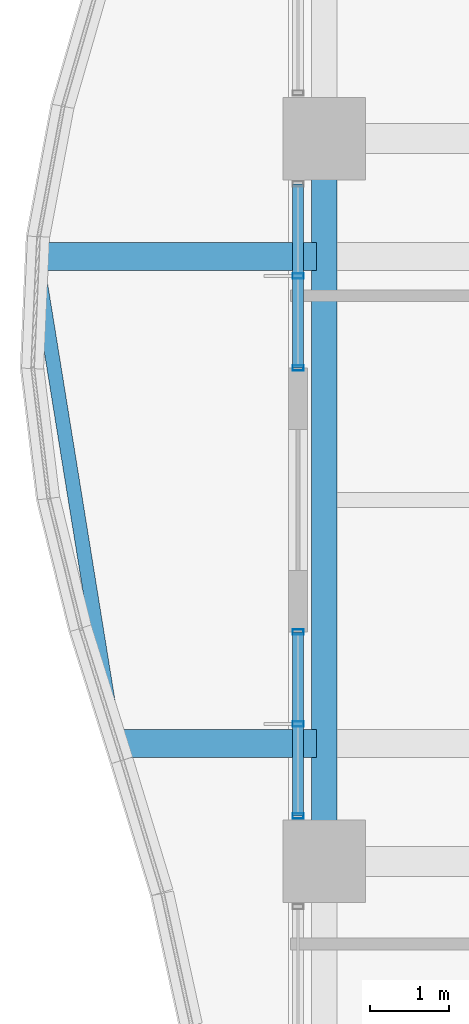
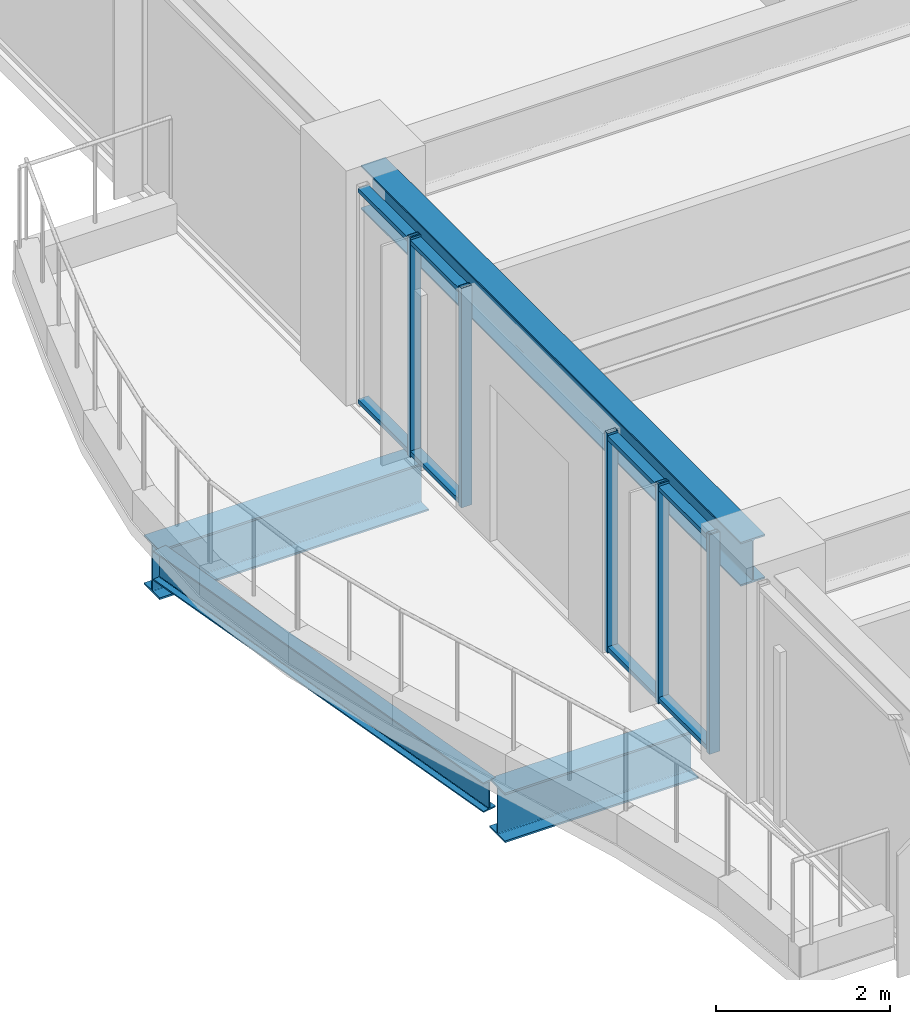
# One storey, part 8 of 36: 9 members, 4 beams, 2 elements without a shape of their own.
"""IFC4 building model written with IfcOpenShell, lengths in metres."""

import ifcopenshell
import ifcopenshell.guid

model = None  # the IFC model being written
_history = None  # IfcOwnerHistory: only IFC2X3 demands one
_inside = {}  # id of a spatial element -> (the spatial element, [elements in it])
_under = {}  # id of a project, library or spatial element -> (it, [spatial elements below it])
_declared = {}  # id of a project -> (the project, [libraries it declares])
_typed = {}  # id of a type object -> (the type object, [elements of that type])
_made_of = {}  # id of a material, layer set ... -> (it, [elements and type objects made of it])


def new_model(schema):
    """Start an empty IFC model of exactly this schema.

    Asked for "IFC4X3", IfcOpenShell would pick the latest addendum, in which some entities
    have other attributes; the version numbers below select the first issue.
    IFC2X3 requires an IfcOwnerHistory on every rooted entity: one is made here for all.
    """
    global model, _history
    if schema == "IFC4X3":
        model = ifcopenshell.file(schema_version=(4, 3, 0, 0))
    else:
        model = ifcopenshell.file(schema=schema)
    _inside.clear()
    _under.clear()
    _declared.clear()
    _typed.clear()
    _made_of.clear()
    _history = None
    if model.schema == "IFC2X3":
        org = make("IfcOrganization", Name="unknown")
        user = make(
            "IfcPersonAndOrganization",
            ThePerson=make("IfcPerson", FamilyName="unknown"),
            TheOrganization=org,
        )
        app = make(
            "IfcApplication",
            ApplicationDeveloper=org,
            Version="unknown",
            ApplicationFullName="unknown",
            ApplicationIdentifier="unknown",
        )
        _history = make(
            "IfcOwnerHistory",
            OwningUser=user,
            OwningApplication=app,
            ChangeAction="ADDED",
            CreationDate=0,
        )
    return model


def make(cls, **values):
    """One entity of the class cls with the attributes given. An attribute that is None is left unset."""
    return model.create_entity(
        cls, **{name: value for name, value in values.items() if value is not None}
    )


def rooted(cls, **values):
    """An entity with a GlobalId (a new one), such as an element, a storey or a relation."""
    return make(cls, GlobalId=ifcopenshell.guid.new(), OwnerHistory=_history, **values)


def si_unit(unit_type, name, prefix=None):
    """IfcSIUnit, for example si_unit("LENGTHUNIT", "METRE", prefix="MILLI")."""
    return make("IfcSIUnit", UnitType=unit_type, Prefix=prefix, Name=name)


def assignment(units):
    """IfcUnitAssignment: the units of a project."""
    return None if units is None else make("IfcUnitAssignment", Units=units)


def point(xyz):
    """IfcCartesianPoint."""
    return None if xyz is None else make("IfcCartesianPoint", Coordinates=xyz)


def direction(xyz):
    """IfcDirection."""
    return None if xyz is None else make("IfcDirection", DirectionRatios=xyz)


def frame(location, z_axis=None, x_axis=None):
    """IfcAxis2Placement3D, a coordinate frame: its origin and axes. An axis left out is left unset."""
    return make(
        "IfcAxis2Placement3D",
        Location=point(location),
        Axis=direction(z_axis),
        RefDirection=direction(x_axis),
    )


def frame_2d(location, x_axis=None):
    """IfcAxis2Placement2D, a coordinate frame in the plane: its origin and x axis."""
    return make(
        "IfcAxis2Placement2D", Location=point(location), RefDirection=direction(x_axis)
    )


def origin():
    """The frame at (0, 0, 0) with its axes left unset."""
    return frame((0.0, 0.0, 0.0))


def origin_2d():
    """The frame at (0, 0) in the plane with its x axis left unset."""
    return frame_2d((0.0, 0.0))


def place(relative_to, where):
    """IfcLocalPlacement: puts the frame where relative to a parent placement (None: the world)."""
    return make(
        "IfcLocalPlacement", PlacementRelTo=relative_to, RelativePlacement=where
    )


def context(
    kind, dimensions, precision=None, world=None, true_north=None, identifier=None
):
    """IfcGeometricRepresentationContext, for example the 3D "Model" context."""
    return make(
        "IfcGeometricRepresentationContext",
        ContextIdentifier=identifier,
        ContextType=kind,
        CoordinateSpaceDimension=dimensions,
        Precision=precision,
        WorldCoordinateSystem=world,
        TrueNorth=true_north,
    )


def subcontext(parent, identifier, kind, view, scale=None):
    """IfcGeometricRepresentationSubContext, for example "Body" below "Model"."""
    return make(
        "IfcGeometricRepresentationSubContext",
        ContextIdentifier=identifier,
        ContextType=kind,
        ParentContext=parent,
        TargetScale=scale,
        TargetView=view,
    )


def project(units=None, contexts=None):
    """IfcProject with its units and contexts."""
    return rooted(
        "IfcProject",
        Name="project",
        RepresentationContexts=contexts,
        UnitsInContext=assignment(units),
    )


def spatial(cls, under=None, at=None, **own):
    """A site, building, storey or space (cls), placed at a placement, below another one or the project."""
    s = rooted(cls, ObjectPlacement=at, **own)
    if under is not None:
        _under.setdefault(under.id(), (under, []))[1].append(s)
    return s


def profile(cls, at=None, kind="AREA", **sizes):
    """A parametric profile (cls). Its sizes go by their IFC names, for example OverallWidth=200.0."""
    return make(cls, ProfileType=kind, Position=at, **sizes)


def hollow_rectangle(**sizes):
    """IfcRectangleHollowProfileDef."""
    return profile("IfcRectangleHollowProfileDef", **sizes)


def i_section(**sizes):
    """IfcIShapeProfileDef."""
    return profile("IfcIShapeProfileDef", **sizes)


def extrude(swept, where, along, depth):
    """IfcExtrudedAreaSolid: the profile swept, set in the frame where, extruded along a direction by depth."""
    return make(
        "IfcExtrudedAreaSolid",
        SweptArea=swept,
        Position=where,
        ExtrudedDirection=direction(along),
        Depth=depth,
    )


def shape(context_of_items, identifier, shape_type, items):
    """IfcShapeRepresentation: the items that make up one representation, for example the "Body"."""
    return make(
        "IfcShapeRepresentation",
        ContextOfItems=context_of_items,
        RepresentationIdentifier=identifier,
        RepresentationType=shape_type,
        Items=items,
    )


def material(Name=None, Category=None):
    """IfcMaterial."""
    return make("IfcMaterial", Name=Name, Category=Category)


def material_profile(
    of_material, cross_section, Name=None, Category=None, Priority=None
):
    """IfcMaterialProfile: a cross section and its material."""
    return make(
        "IfcMaterialProfile",
        Name=Name,
        Material=of_material,
        Profile=cross_section,
        Priority=Priority,
        Category=Category,
    )


def profile_set(profiles, Name=None, composite=None):
    """IfcMaterialProfileSet."""
    return make(
        "IfcMaterialProfileSet",
        Name=Name,
        MaterialProfiles=profiles,
        CompositeProfile=composite,
    )


def made_of(thing, what):
    """Note that an element or type object is made of a material, layer set ...; save() writes the relation."""
    if what is not None:
        _made_of.setdefault(what.id(), (what, []))[1].append(thing)
    return thing


def type_object(cls, material=None, **own):
    """A type object (cls), such as IfcWallType, which elements share."""
    return made_of(rooted(cls, **own), material)


def element(
    cls,
    number,
    at=None,
    inside=None,
    cuts=None,
    type_object=None,
    material=None,
    context=None,
    identifier="Body",
    shape_type=None,
    held_by="IfcProductDefinitionShape",
    body=None,
    shapes=None,
    **own,
):
    """One element of the class cls, such as IfcWall. Its Tag is "e" and its number.

    at: its placement. inside: the storey or other place that contains it. cuts: it is an
    opening in that element (IfcRelVoidsElement). A single representation is given by context,
    identifier, shape_type and body (its items); several are given by shapes. held_by: the class
    of the entity that holds the representations. save() writes the other relations.
    """
    e = rooted(cls, Tag="e%d" % number, ObjectPlacement=at, **own)
    if body is not None:
        shapes = [shape(context, identifier, shape_type, body)]
    if shapes is not None:
        e.Representation = make(held_by, Representations=shapes)
    if inside is not None:
        _inside.setdefault(inside.id(), (inside, []))[1].append(e)
    if cuts is not None:
        rooted(
            "IfcRelVoidsElement", RelatingBuildingElement=cuts, RelatedOpeningElement=e
        )
    if type_object is not None:
        _typed.setdefault(type_object.id(), (type_object, []))[1].append(e)
    return made_of(e, material)


def aggregate(whole, parts):
    """IfcRelAggregates: a whole, such as a stair, and the parts it consists of."""
    return rooted("IfcRelAggregates", RelatingObject=whole, RelatedObjects=parts)


def save(model, path):
    """Write the relations noted so far, then the file.

    IfcRelAggregates (storeys below a building ...), IfcRelContainedInSpatialStructure (elements
    in a storey), IfcRelDefinesByType, IfcRelAssociatesMaterial and IfcRelDeclares: one each for
    every whole, place, type object, material and project.
    """
    for whole, parts in _under.values():
        aggregate(whole, parts)
    for where, things in _inside.values():
        rooted(
            "IfcRelContainedInSpatialStructure",
            RelatedElements=things,
            RelatingStructure=where,
        )
    for kind, things in _typed.values():
        rooted("IfcRelDefinesByType", RelatedObjects=things, RelatingType=kind)
    for what, things in _made_of.values():
        rooted("IfcRelAssociatesMaterial", RelatedObjects=things, RelatingMaterial=what)
    for by, libraries in _declared.values():
        rooted("IfcRelDeclares", RelatingContext=by, RelatedDefinitions=libraries)
    model.write(path)


model = new_model("IFC4")

# Units and contexts
model_context = context("Model", 3, precision=1e-05, world=origin(), true_north=direction((0.0, 1.0)))
body_context = subcontext(model_context, "Body", "Model", "MODEL_VIEW")
ifc_project = project(units=[si_unit("LENGTHUNIT", "METRE"), si_unit("AREAUNIT", "SQUARE_METRE"), si_unit("VOLUMEUNIT", "CUBIC_METRE"), si_unit("PLANEANGLEUNIT", "RADIAN"), si_unit("MASSUNIT", "GRAM", prefix="KILO")], contexts=[model_context])

# Site, building, storey
site_placement = place(None, origin())
site = spatial("IfcSite", under=ifc_project, at=site_placement, CompositionType="ELEMENT")
building_placement = place(site_placement, origin())
building = spatial("IfcBuilding", under=site, at=building_placement, Name="Kolvaren Belvedere", CompositionType="ELEMENT")
storey_placement = place(building_placement, frame((0.0, 0.0, 92.0)))
storey = spatial("IfcBuildingStorey", under=building, at=storey_placement, Name="L26", CompositionType="ELEMENT", Elevation=92.0)

# Beams
ifc_material_1 = material(Name="Structural steel ASTM A992 Grade 50", Category="steel")
ifc_material_profile_1 = material_profile(ifc_material_1, i_section(OverallWidth=0.35498046875, OverallDepth=0.696044921875, WebThickness=0.015380859375, FlangeThickness=0.02490234375, FilletRadius=0.02197265625, at=origin_2d()), Name="W27X146")
ifc_profile_set_1 = profile_set([ifc_material_profile_1], Name="Structural steel ASTM A992 Grade 50")
beam_type_1 = type_object("IfcBeamType", Name="BM-CANT-BAL", PredefinedType="BEAM", material=ifc_profile_set_1)
beam_1_placement = place(storey_placement, frame((-20.044921875, -3.10009765625, -0.568115234375), z_axis=(-1.0, 0.0, 0.0), x_axis=(0.0, -1.0, 0.0)))
element("IfcBeam", 1, at=beam_1_placement, inside=storey, type_object=beam_type_1, Name="L26 Planted Balcony Cantilever BAL-W-1", PredefinedType="BEAM", context=body_context, shape_type="SweptSolid", body=[
    extrude(i_section(OverallWidth=0.35498046875, OverallDepth=0.696044921875, WebThickness=0.015380859375, FlangeThickness=0.02490234375, FilletRadius=0.02197265625, at=origin_2d()), origin(), (0.0, 0.0, 1.0), 2.56884765625),
])
beam_2_placement = place(storey_placement, frame((-20.044921875, 3.10009765625, -0.568115234375), z_axis=(-1.0, 0.0, 0.0), x_axis=(0.0, -1.0, 0.0)))
element("IfcBeam", 2, at=beam_2_placement, inside=storey, type_object=beam_type_1, Name="L26 Planted Balcony Cantilever BAL-W-2", PredefinedType="BEAM", context=body_context, shape_type="SweptSolid", body=[
    extrude(i_section(OverallWidth=0.35498046875, OverallDepth=0.696044921875, WebThickness=0.015380859375, FlangeThickness=0.02490234375, FilletRadius=0.02197265625, at=origin_2d()), origin(), (0.0, 0.0, 1.0), 3.571044921875),
])
ifc_material_2 = material(Name="Structural steel ASTM A992 Grade 50", Category="steel")
ifc_material_profile_2 = material_profile(ifc_material_2, i_section(OverallWidth=0.180908203125, OverallDepth=0.4169921875, WebThickness=0.010986328125, FlangeThickness=0.018310546875, FilletRadius=0.013916015625, at=origin_2d()), Name="W16X57")
ifc_profile_set_2 = profile_set([ifc_material_profile_2], Name="Structural steel ASTM A992 Grade 50")
beam_type_2 = type_object("IfcBeamType", Name="BM-EDGE-W16X57", PredefinedType="BEAM", material=ifc_profile_set_2)
beam_3_placement = place(storey_placement, frame((-22.635986328125, -2.9619140625, -0.428466796875), z_axis=(-0.159567567211, 0.987187009383, 0.0), x_axis=(-0.987187009383, -0.159567567211, 0.0)))
element("IfcBeam", 3, at=beam_3_placement, inside=storey, type_object=beam_type_2, Name="L26 Balcony Tip Header Beam BAL-W", PredefinedType="BEAM", context=body_context, shape_type="SweptSolid", body=[
    extrude(i_section(OverallWidth=0.180908203125, OverallDepth=0.4169921875, WebThickness=0.010986328125, FlangeThickness=0.018310546875, FilletRadius=0.013916015625, at=origin_2d()), origin(), (0.0, 0.0, 1.0), 6.000732421875),
])
ifc_material_3 = material(Name="Structural steel ASTM A992 Grade 50", Category="steel")
ifc_material_profile_3 = material_profile(ifc_material_3, i_section(OverallWidth=0.324951171875, OverallDepth=0.615966796875, WebThickness=0.013916015625, FlangeThickness=0.021484375, FilletRadius=0.02001953125, at=origin_2d()), Name="W24X117")
ifc_profile_set_3 = profile_set([ifc_material_profile_3], Name="Structural steel ASTM A992 Grade 50")
beam_type_3 = type_object("IfcBeamType", Name="BM-SPAN-W24X117", PredefinedType="SPANDREL", material=ifc_profile_set_3)
beam_4_placement = place(storey_placement, frame((-19.949951171875, 4.36376953125, 2.77197265625), z_axis=(0.0, -1.0, 0.0), x_axis=(1.0, 0.0, 0.0)))
element("IfcBeam", 4, at=beam_4_placement, inside=storey, type_object=beam_type_3, Name="L26 Perimeter Spandrel W3-W2", PredefinedType="SPANDREL", context=body_context, shape_type="SweptSolid", body=[
    extrude(i_section(OverallWidth=0.324951171875, OverallDepth=0.615966796875, WebThickness=0.013916015625, FlangeThickness=0.021484375, FilletRadius=0.02001953125, at=origin_2d()), origin(), (0.0, 0.0, 1.0), 8.7275390625),
])

# Curtain wall, members
ifc_material_4 = material(Name="Anodised pale-metal aluminium AA 6063-T6", Category="aluminium")
curtain_wall_type = type_object("IfcCurtainWallType", Name="CW-Z2-MID", PredefinedType="NOTDEFINED", material=ifc_material_4)
curtain_wall_1_placement = place(storey_placement, origin())
curtain_wall_1 = element("IfcCurtainWall", 5, at=curtain_wall_1_placement, inside=storey, type_object=curtain_wall_type, Name="L26 Unitised Curtain Wall FCW-L26-W1-B2", PredefinedType="NOTDEFINED")
ifc_material_5 = material(Name="Anodised pale-metal aluminium AA 6063-T6", Category="aluminium")
ifc_material_profile_4 = material_profile(ifc_material_5, hollow_rectangle(XDim=0.06494140625, YDim=0.139892578125, WallThickness=0.00390625, at=origin_2d()), Name="ALU-MUL-140X65")
ifc_profile_set_4 = profile_set([ifc_material_profile_4], Name="Anodised pale-metal aluminium AA 6063-T6")
member_type_1 = type_object("IfcMemberType", Name="CW-MUL-140", PredefinedType="MULLION", material=ifc_profile_set_4)
member_1_placement = place(storey_placement, frame((-20.280029296875, -4.0224609375, 0.0), z_axis=(0.0, 0.0, 1.0), x_axis=(0.0, 1.0, 0.0)))
member_1 = element("IfcMember", 6, at=member_1_placement, type_object=member_type_1, Name="FCW-L26-W1-B2 Unitised Mullion 1", PredefinedType="MULLION", context=body_context, shape_type="SweptSolid", body=[
    extrude(hollow_rectangle(XDim=0.06494140625, YDim=0.139892578125, WallThickness=0.00390625, at=origin_2d()), origin(), (0.0, 0.0, 1.0), 3.080078125),
])
member_2_placement = place(storey_placement, frame((-20.280029296875, -2.851318359375, 0.0), z_axis=(0.0, 0.0, 1.0), x_axis=(0.0, 1.0, 0.0)))
member_2 = element("IfcMember", 7, at=member_2_placement, type_object=member_type_1, Name="FCW-L26-W1-B2 Unitised Mullion 2", PredefinedType="MULLION", context=body_context, shape_type="SweptSolid", body=[
    extrude(hollow_rectangle(XDim=0.06494140625, YDim=0.139892578125, WallThickness=0.00390625, at=origin_2d()), origin(), (0.0, 0.0, 1.0), 3.080078125),
])
member_3_placement = place(storey_placement, frame((-20.280029296875, -1.679931640625, 0.0), z_axis=(0.0, 0.0, 1.0), x_axis=(0.0, 1.0, 0.0)))
member_3 = element("IfcMember", 8, at=member_3_placement, type_object=member_type_1, Name="FCW-L26-W1-B2 Unitised Mullion 3", PredefinedType="MULLION", context=body_context, shape_type="SweptSolid", body=[
    extrude(hollow_rectangle(XDim=0.06494140625, YDim=0.139892578125, WallThickness=0.00390625, at=origin_2d()), origin(), (0.0, 0.0, 1.0), 3.080078125),
])

curtain_wall_2_placement = place(storey_placement, origin())
curtain_wall_2 = element("IfcCurtainWall", 9, at=curtain_wall_2_placement, inside=storey, type_object=curtain_wall_type, Name="L26 Unitised Curtain Wall FCW-L26-W2-B1", PredefinedType="NOTDEFINED")
member_4_placement = place(storey_placement, frame((-20.280029296875, 1.679931640625, 0.0), z_axis=(0.0, 0.0, 1.0), x_axis=(0.0, 1.0, 0.0)))
member_4 = element("IfcMember", 10, at=member_4_placement, type_object=member_type_1, Name="FCW-L26-W2-B1 Unitised Mullion 1", PredefinedType="MULLION", context=body_context, shape_type="SweptSolid", body=[
    extrude(hollow_rectangle(XDim=0.06494140625, YDim=0.139892578125, WallThickness=0.00390625, at=origin_2d()), origin(), (0.0, 0.0, 1.0), 3.080078125),
])
member_5_placement = place(storey_placement, frame((-20.280029296875, 2.851318359375, 0.0), z_axis=(0.0, 0.0, 1.0), x_axis=(0.0, 1.0, 0.0)))
member_5 = element("IfcMember", 11, at=member_5_placement, type_object=member_type_1, Name="FCW-L26-W2-B1 Unitised Mullion 2", PredefinedType="MULLION", context=body_context, shape_type="SweptSolid", body=[
    extrude(hollow_rectangle(XDim=0.06494140625, YDim=0.139892578125, WallThickness=0.00390625, at=origin_2d()), origin(), (0.0, 0.0, 1.0), 3.080078125),
])

# Member
ifc_material_6 = material(Name="Anodised pale-metal aluminium AA 6063-T6", Category="aluminium")
ifc_material_profile_5 = material_profile(ifc_material_6, hollow_rectangle(XDim=0.06005859375, YDim=0.139892578125, WallThickness=0.00390625, at=origin_2d()), Name="ALU-TRN-140X60")
ifc_profile_set_5 = profile_set([ifc_material_profile_5], Name="Anodised pale-metal aluminium AA 6063-T6")
member_type_2 = type_object("IfcMemberType", Name="CW-TRN-140", PredefinedType="USERDEFINED", material=ifc_profile_set_5)
member_6_placement = place(storey_placement, frame((-20.280029296875, -4.0224609375, 0.06005859375), z_axis=(0.0, 1.0, 0.0), x_axis=(0.0, 0.0, 1.0)))
member_6 = element("IfcMember", 12, at=member_6_placement, type_object=member_type_2, Name="FCW-L26-W1-B2 Sill Transom", ObjectType="TRANSOM", PredefinedType="USERDEFINED", context=body_context, shape_type="SweptSolid", body=[
    extrude(hollow_rectangle(XDim=0.06005859375, YDim=0.139892578125, WallThickness=0.00390625, at=origin_2d()), origin(), (0.0, 0.0, 1.0), 2.342529296875),
])

member_7_placement = place(storey_placement, frame((-20.280029296875, -4.0224609375, 3.02001953125), z_axis=(0.0, 1.0, 0.0), x_axis=(0.0, 0.0, 1.0)))
member_7 = element("IfcMember", 13, at=member_7_placement, type_object=member_type_2, Name="FCW-L26-W1-B2 Head Transom", ObjectType="TRANSOM", PredefinedType="USERDEFINED", context=body_context, shape_type="SweptSolid", body=[
    extrude(hollow_rectangle(XDim=0.06005859375, YDim=0.139892578125, WallThickness=0.00390625, at=origin_2d()), origin(), (0.0, 0.0, 1.0), 2.342529296875),
])

aggregate(curtain_wall_1, [member_1, member_2, member_3, member_6, member_7])

member_8_placement = place(storey_placement, frame((-20.280029296875, 1.679931640625, 0.06005859375), z_axis=(0.0, 1.0, 0.0), x_axis=(0.0, 0.0, 1.0)))
member_8 = element("IfcMember", 14, at=member_8_placement, type_object=member_type_2, Name="FCW-L26-W2-B1 Sill Transom", ObjectType="TRANSOM", PredefinedType="USERDEFINED", context=body_context, shape_type="SweptSolid", body=[
    extrude(hollow_rectangle(XDim=0.06005859375, YDim=0.139892578125, WallThickness=0.00390625, at=origin_2d()), origin(), (0.0, 0.0, 1.0), 2.342529296875),
])

member_9_placement = place(storey_placement, frame((-20.280029296875, 1.679931640625, 3.02001953125), z_axis=(0.0, 1.0, 0.0), x_axis=(0.0, 0.0, 1.0)))
member_9 = element("IfcMember", 15, at=member_9_placement, type_object=member_type_2, Name="FCW-L26-W2-B1 Head Transom", ObjectType="TRANSOM", PredefinedType="USERDEFINED", context=body_context, shape_type="SweptSolid", body=[
    extrude(hollow_rectangle(XDim=0.06005859375, YDim=0.139892578125, WallThickness=0.00390625, at=origin_2d()), origin(), (0.0, 0.0, 1.0), 2.342529296875),
])

aggregate(curtain_wall_2, [member_4, member_5, member_8, member_9])

save(model, "model.ifc")
